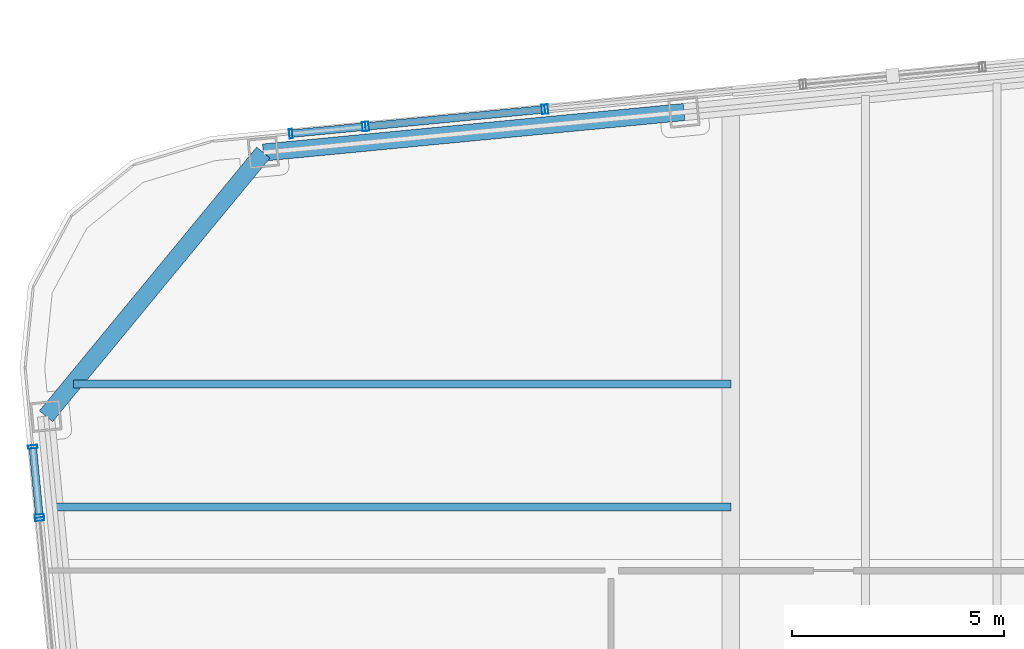
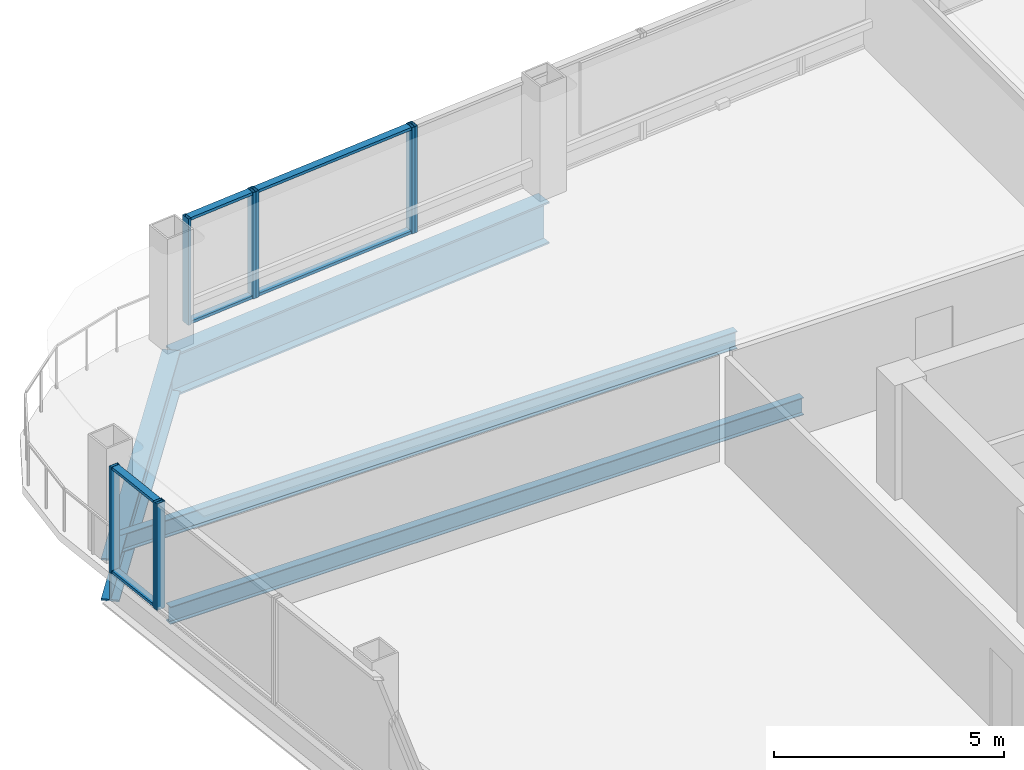
# One storey, part 17 of 28: 14 members, 4 beams, 5 elements without a shape of their own.
"""IFC4 building model written with IfcOpenShell, lengths in metres."""

from ifc_helpers import new_model, si_unit, direction, frame, origin, origin_2d, place, context, subcontext, project, spatial, hollow_rectangle, i_section, extrude, material, layer, layer_set, material_profile, profile_set, type_object, element, aggregate, save


model = new_model("IFC4")

# Units and contexts
model_context = context("Model", 3, precision=1e-05, world=origin(), true_north=direction((0.0, 1.0)))
body_context = subcontext(model_context, "Body", "Model", "MODEL_VIEW")
ifc_project = project(units=[si_unit("LENGTHUNIT", "METRE"), si_unit("AREAUNIT", "SQUARE_METRE"), si_unit("VOLUMEUNIT", "CUBIC_METRE"), si_unit("PLANEANGLEUNIT", "RADIAN"), si_unit("MASSUNIT", "GRAM", prefix="KILO")], contexts=[model_context])

# Site, building, storey
site_placement = place(None, origin())
site = spatial("IfcSite", under=ifc_project, at=site_placement, CompositionType="ELEMENT")
building_placement = place(site_placement, origin())
building = spatial("IfcBuilding", under=site, at=building_placement, Name="Qhalaya Broadcast Tower", CompositionType="ELEMENT")
storey_placement = place(building_placement, frame((0.0, 0.0, 159.199951171875)))
storey = spatial("IfcBuildingStorey", under=building, at=storey_placement, Name="L46", CompositionType="ELEMENT", Elevation=159.199951171875)

# Beams
ifc_material_1 = material(Name="Structural Steel ASTM A992 Grade 50", Category="steel")
ifc_material_profile_1 = material_profile(ifc_material_1, i_section(OverallWidth=0.19189453125, OverallDepth=0.462890625, WebThickness=0.010498046875, FlangeThickness=0.017578125, at=origin_2d()), Name="W18X60")
ifc_profile_set_1 = profile_set([ifc_material_profile_1], Name="Structural Steel ASTM A992 Grade 50")
beam_type_1 = type_object("IfcBeamType", Name="Composite Floor Joist J03", PredefinedType="JOIST", material=ifc_profile_set_1)
beam_1_placement = place(storey_placement, frame((-25.301513671875, 14.300048828125, -0.451416015625), z_axis=(1.0, 0.0, 0.0), x_axis=(0.0, 1.0, 0.0)))
element("IfcBeam", 1, at=beam_1_placement, inside=storey, type_object=beam_type_1, Name="L46 J03 L46-JWE6W-1", PredefinedType="JOIST", context=body_context, shape_type="SweptSolid", body=[
    extrude(i_section(OverallWidth=0.19189453125, OverallDepth=0.462890625, WebThickness=0.010498046875, FlangeThickness=0.017578125, at=origin_2d()), origin(), (0.0, 0.0, 1.0), 15.926513671875),
])
beam_2_placement = place(storey_placement, frame((-24.876953125, 17.199951171875, -0.451416015625), z_axis=(1.0, 0.0, 0.0), x_axis=(0.0, 1.0, 0.0)))
element("IfcBeam", 2, at=beam_2_placement, inside=storey, type_object=beam_type_1, Name="L46 J03 L46-JWE7W-1", PredefinedType="JOIST", context=body_context, shape_type="SweptSolid", body=[
    extrude(i_section(OverallWidth=0.19189453125, OverallDepth=0.462890625, WebThickness=0.010498046875, FlangeThickness=0.017578125, at=origin_2d()), origin(), (0.0, 0.0, 1.0), 15.501953125),
])
ifc_material_profile_2 = material_profile(ifc_material_1, i_section(OverallWidth=0.404052734375, OverallDepth=1.117919921875, WebThickness=0.026123046875, FlangeThickness=0.044921875, at=origin_2d()), Name="W44X335")
ifc_profile_set_2 = profile_set([ifc_material_profile_2], Name="Structural Steel ASTM A992 Grade 50")
beam_type_2 = type_object("IfcBeamType", Name="Podium Long-Span Primary Girder PG1", PredefinedType="USERDEFINED", material=ifc_profile_set_2)
beam_3_placement = place(storey_placement, frame((-10.4794921875, 23.6171875, -0.779052734375), z_axis=(-0.995398071879, -0.095826293365, 0.0), x_axis=(0.095826293365, -0.995398071879, 0.0)))
element("IfcBeam", 3, at=beam_3_placement, inside=storey, type_object=beam_type_2, Name="L46 PG1 L46-SPR-11", ObjectType="GIRDER", PredefinedType="USERDEFINED", context=body_context, shape_type="SweptSolid", body=[
    extrude(i_section(OverallWidth=0.404052734375, OverallDepth=1.117919921875, WebThickness=0.026123046875, FlangeThickness=0.044921875, at=origin_2d()), origin(), (0.0, 0.0, 1.0), 9.966796875),
])
beam_4_placement = place(storey_placement, frame((-20.400390625, 22.662109375, -0.779052734375), z_axis=(-0.636070241972, -0.771631160126, 0.0), x_axis=(0.771631160126, -0.636070241972, 0.0)))
element("IfcBeam", 4, at=beam_4_placement, inside=storey, type_object=beam_type_2, Name="L46 PG1 L46-SPR-12", ObjectType="GIRDER", PredefinedType="USERDEFINED", context=body_context, shape_type="SweptSolid", body=[
    extrude(i_section(OverallWidth=0.404052734375, OverallDepth=1.117919921875, WebThickness=0.026123046875, FlangeThickness=0.044921875, at=origin_2d()), origin(), (0.0, 0.0, 1.0), 8.06103515625),
])

# Curtain wall, member
ifc_material_2 = material(Name="Fired Architectural Terracotta", Category="masonry")
ifc_layer_1 = layer(ifc_material_2, 0.219970703125, Name="Fired Architectural Terracotta")
ifc_layer_set_1 = layer_set([ifc_layer_1], Name="Fired Architectural Terracotta")
curtain_wall_type_1 = type_object("IfcCurtainWallType", Name="Block-Cap Unitised Terracotta Spandrel Wall CW-07", PredefinedType="NOTDEFINED", material=ifc_layer_set_1)
curtain_wall_1_placement = place(storey_placement, origin())
curtain_wall_1 = element("IfcCurtainWall", 5, at=curtain_wall_1_placement, inside=storey, type_object=curtain_wall_type_1, Name="L46 Unitised Curtain Wall L46-CW-N5", PredefinedType="NOTDEFINED")
ifc_material_3 = material(Name="Anodised Aluminium 6063-T6", Category="aluminium")
ifc_material_profile_3 = material_profile(ifc_material_3, hollow_rectangle(XDim=0.074951171875, YDim=0.219970703125, WallThickness=0.00390625, at=origin_2d()), Name="ALU-MUL 75x220x4")
ifc_profile_set_3 = profile_set([ifc_material_profile_3], Name="Anodised Aluminium 6063-T6")
member_type_1 = type_object("IfcMemberType", Name="Unitised Curtain-Wall Mullion M01", PredefinedType="MULLION", material=ifc_profile_set_3)
member_1_placement = place(storey_placement, frame((-13.722412109375, 23.686767578125, 0.0), z_axis=(0.0, 0.0, 1.0), x_axis=(-0.995395960619, -0.095848221597, 0.0)))
member_1 = element("IfcMember", 6, at=member_1_placement, type_object=member_type_1, Name="CW-07 mullion 2", PredefinedType="MULLION", context=body_context, shape_type="SweptSolid", body=[
    extrude(hollow_rectangle(XDim=0.074951171875, YDim=0.219970703125, WallThickness=0.00390625, at=origin_2d()), origin(), (0.0, 0.0, 1.0), 2.830078125),
])
aggregate(curtain_wall_1, [member_1])

# Curtain wall, members
ifc_material_4 = material(Name="Solar-Control Low-E Triple Glazing", Category="glass")
ifc_layer_2 = layer(ifc_material_4, 0.219970703125, Name="Solar-Control Low-E Triple Glazing")
ifc_layer_set_2 = layer_set([ifc_layer_2], Name="Solar-Control Low-E Triple Glazing")
curtain_wall_type_2 = type_object("IfcCurtainWallType", Name="Even-Block 4-Storey Double-Module Curtain Wall CW-03", PredefinedType="NOTDEFINED", material=ifc_layer_set_2)
curtain_wall_2_placement = place(storey_placement, origin())
curtain_wall_2 = element("IfcCurtainWall", 7, at=curtain_wall_2_placement, inside=storey, type_object=curtain_wall_type_2, Name="L46 Unitised Curtain Wall L46-CW-N6", PredefinedType="NOTDEFINED")
member_2_placement = place(storey_placement, frame((-13.797119140625, 23.6796875, 0.0), z_axis=(0.0, 0.0, 1.0), x_axis=(-0.995397339057, -0.095833905262, 0.0)))
member_2 = element("IfcMember", 8, at=member_2_placement, type_object=member_type_1, Name="CW-03 mullion 1", PredefinedType="MULLION", context=body_context, shape_type="SweptSolid", body=[
    extrude(hollow_rectangle(XDim=0.074951171875, YDim=0.219970703125, WallThickness=0.00390625, at=origin_2d()), origin(), (0.0, 0.0, 1.0), 2.830078125),
])
member_3_placement = place(storey_placement, frame((-17.952880859375, 23.279541015625, 0.0), z_axis=(0.0, 0.0, 1.0), x_axis=(-0.995397339057, -0.095833905262, 0.0)))
member_3 = element("IfcMember", 9, at=member_3_placement, type_object=member_type_1, Name="CW-03 mullion 2", PredefinedType="MULLION", context=body_context, shape_type="SweptSolid", body=[
    extrude(hollow_rectangle(XDim=0.074951171875, YDim=0.219970703125, WallThickness=0.00390625, at=origin_2d()), origin(), (0.0, 0.0, 1.0), 2.830078125),
])

curtain_wall_3_placement = place(storey_placement, origin())
curtain_wall_3 = element("IfcCurtainWall", 10, at=curtain_wall_3_placement, inside=storey, type_object=curtain_wall_type_1, Name="L46 Unitised Curtain Wall L46-CW-N7", PredefinedType="NOTDEFINED")
member_4_placement = place(storey_placement, frame((-18.027587890625, 23.272216796875, 0.0), z_axis=(0.0, 0.0, 1.0), x_axis=(-0.995395236376, -0.095855742651, 0.0)))
member_4 = element("IfcMember", 11, at=member_4_placement, type_object=member_type_1, Name="CW-07 mullion 1", PredefinedType="MULLION", context=body_context, shape_type="SweptSolid", body=[
    extrude(hollow_rectangle(XDim=0.074951171875, YDim=0.219970703125, WallThickness=0.00390625, at=origin_2d()), origin(), (0.0, 0.0, 1.0), 2.830078125),
])
member_5_placement = place(storey_placement, frame((-19.75244140625, 23.106201171875, 0.0), z_axis=(0.0, 0.0, 1.0), x_axis=(-0.995395236376, -0.095855742651, 0.0)))
member_5 = element("IfcMember", 12, at=member_5_placement, type_object=member_type_1, Name="CW-07 mullion 2", PredefinedType="MULLION", context=body_context, shape_type="SweptSolid", body=[
    extrude(hollow_rectangle(XDim=0.074951171875, YDim=0.219970703125, WallThickness=0.00390625, at=origin_2d()), origin(), (0.0, 0.0, 1.0), 2.830078125),
])

curtain_wall_4_placement = place(storey_placement, origin())
curtain_wall_4 = element("IfcCurtainWall", 13, at=curtain_wall_4_placement, inside=storey, type_object=curtain_wall_type_1, Name="L46 Unitised Curtain Wall L46-CW-W1", PredefinedType="NOTDEFINED")
member_6_placement = place(storey_placement, frame((-25.840087890625, 15.72119140625, 0.0), z_axis=(0.0, 0.0, 1.0), x_axis=(0.095860176134, -0.995394809426, 0.0)))
member_6 = element("IfcMember", 14, at=member_6_placement, type_object=member_type_1, Name="CW-07 mullion 1", PredefinedType="MULLION", context=body_context, shape_type="SweptSolid", body=[
    extrude(hollow_rectangle(XDim=0.074951171875, YDim=0.219970703125, WallThickness=0.00390625, at=origin_2d()), origin(), (0.0, 0.0, 1.0), 2.830078125),
])
member_7_placement = place(storey_placement, frame((-25.68310546875, 14.088623046875, 0.0), z_axis=(0.0, 0.0, 1.0), x_axis=(0.095860176134, -0.995394809426, 0.0)))
member_7 = element("IfcMember", 15, at=member_7_placement, type_object=member_type_1, Name="CW-07 mullion 2", PredefinedType="MULLION", context=body_context, shape_type="SweptSolid", body=[
    extrude(hollow_rectangle(XDim=0.074951171875, YDim=0.219970703125, WallThickness=0.00390625, at=origin_2d()), origin(), (0.0, 0.0, 1.0), 2.830078125),
])

# Curtain wall, member
curtain_wall_5_placement = place(storey_placement, origin())
curtain_wall_5 = element("IfcCurtainWall", 16, at=curtain_wall_5_placement, inside=storey, type_object=curtain_wall_type_2, Name="L46 Unitised Curtain Wall L46-CW-W2", PredefinedType="NOTDEFINED")
member_8_placement = place(storey_placement, frame((-25.67578125, 14.01416015625, 0.0), z_axis=(0.0, 0.0, 1.0), x_axis=(0.095830074124, -0.9953977079, 0.0)))
member_8 = element("IfcMember", 17, at=member_8_placement, type_object=member_type_1, Name="CW-03 mullion 1", PredefinedType="MULLION", context=body_context, shape_type="SweptSolid", body=[
    extrude(hollow_rectangle(XDim=0.074951171875, YDim=0.219970703125, WallThickness=0.00390625, at=origin_2d()), origin(), (0.0, 0.0, 1.0), 2.830078125),
])
aggregate(curtain_wall_5, [member_8])

# Member
ifc_material_profile_4 = material_profile(ifc_material_3, hollow_rectangle(XDim=0.074951171875, YDim=0.179931640625, WallThickness=0.00390625, at=origin_2d()), Name="ALU-TRN 75x180x4")
ifc_profile_set_4 = profile_set([ifc_material_profile_4], Name="Anodised Aluminium 6063-T6")
member_type_2 = type_object("IfcMemberType", Name="Unitised Curtain-Wall Transom T01", PredefinedType="USERDEFINED", material=ifc_profile_set_4)
member_9_placement = place(storey_placement, frame((-13.83447265625, 23.676025390625, 0.03759765625), z_axis=(-0.995399423143, -0.095812256032, 0.0), x_axis=(0.0, 0.0, 1.0)))
member_9 = element("IfcMember", 18, at=member_9_placement, type_object=member_type_2, Name="CW-03 transom 1.1", ObjectType="TRANSOM", PredefinedType="USERDEFINED", context=body_context, shape_type="SweptSolid", body=[
    extrude(hollow_rectangle(XDim=0.074951171875, YDim=0.179931640625, WallThickness=0.00390625, at=origin_2d()), origin(), (0.0, 0.0, 1.0), 4.099853515625),
])

member_10_placement = place(storey_placement, frame((-13.83447265625, 23.676025390625, 2.79248046875), z_axis=(-0.995399423143, -0.095812256032, 0.0), x_axis=(0.0, 0.0, 1.0)))
member_10 = element("IfcMember", 19, at=member_10_placement, type_object=member_type_2, Name="CW-03 transom 1.2", ObjectType="TRANSOM", PredefinedType="USERDEFINED", context=body_context, shape_type="SweptSolid", body=[
    extrude(hollow_rectangle(XDim=0.074951171875, YDim=0.179931640625, WallThickness=0.00390625, at=origin_2d()), origin(), (0.0, 0.0, 1.0), 4.099853515625),
])

aggregate(curtain_wall_2, [member_2, member_3, member_9, member_10])

member_11_placement = place(storey_placement, frame((-18.06494140625, 23.268798828125, 0.03759765625), z_axis=(-0.995393636341, -0.095872356452, 0.0), x_axis=(0.0, 0.0, 1.0)))
member_11 = element("IfcMember", 20, at=member_11_placement, type_object=member_type_2, Name="CW-07 transom 1.1", ObjectType="TRANSOM", PredefinedType="USERDEFINED", context=body_context, shape_type="SweptSolid", body=[
    extrude(hollow_rectangle(XDim=0.074951171875, YDim=0.179931640625, WallThickness=0.00390625, at=origin_2d()), origin(), (0.0, 0.0, 1.0), 1.65771484375),
])

member_12_placement = place(storey_placement, frame((-18.06494140625, 23.268798828125, 2.79248046875), z_axis=(-0.995393636341, -0.095872356452, 0.0), x_axis=(0.0, 0.0, 1.0)))
member_12 = element("IfcMember", 21, at=member_12_placement, type_object=member_type_2, Name="CW-07 transom 1.2", ObjectType="TRANSOM", PredefinedType="USERDEFINED", context=body_context, shape_type="SweptSolid", body=[
    extrude(hollow_rectangle(XDim=0.074951171875, YDim=0.179931640625, WallThickness=0.00390625, at=origin_2d()), origin(), (0.0, 0.0, 1.0), 1.65771484375),
])

aggregate(curtain_wall_3, [member_4, member_5, member_11, member_12])

member_13_placement = place(storey_placement, frame((-25.836669921875, 15.683837890625, 0.03759765625), z_axis=(0.095935332203, -0.995387568757, 0.0), x_axis=(0.0, 0.0, 1.0)))
member_13 = element("IfcMember", 22, at=member_13_placement, type_object=member_type_2, Name="CW-07 transom 1.1", ObjectType="TRANSOM", PredefinedType="USERDEFINED", context=body_context, shape_type="SweptSolid", body=[
    extrude(hollow_rectangle(XDim=0.074951171875, YDim=0.179931640625, WallThickness=0.00390625, at=origin_2d()), origin(), (0.0, 0.0, 1.0), 1.565185546875),
])

member_14_placement = place(storey_placement, frame((-25.836669921875, 15.683837890625, 2.79248046875), z_axis=(0.095935332203, -0.995387568757, 0.0), x_axis=(0.0, 0.0, 1.0)))
member_14 = element("IfcMember", 23, at=member_14_placement, type_object=member_type_2, Name="CW-07 transom 1.2", ObjectType="TRANSOM", PredefinedType="USERDEFINED", context=body_context, shape_type="SweptSolid", body=[
    extrude(hollow_rectangle(XDim=0.074951171875, YDim=0.179931640625, WallThickness=0.00390625, at=origin_2d()), origin(), (0.0, 0.0, 1.0), 1.565185546875),
])

aggregate(curtain_wall_4, [member_6, member_7, member_13, member_14])

save(model, "model.ifc")
